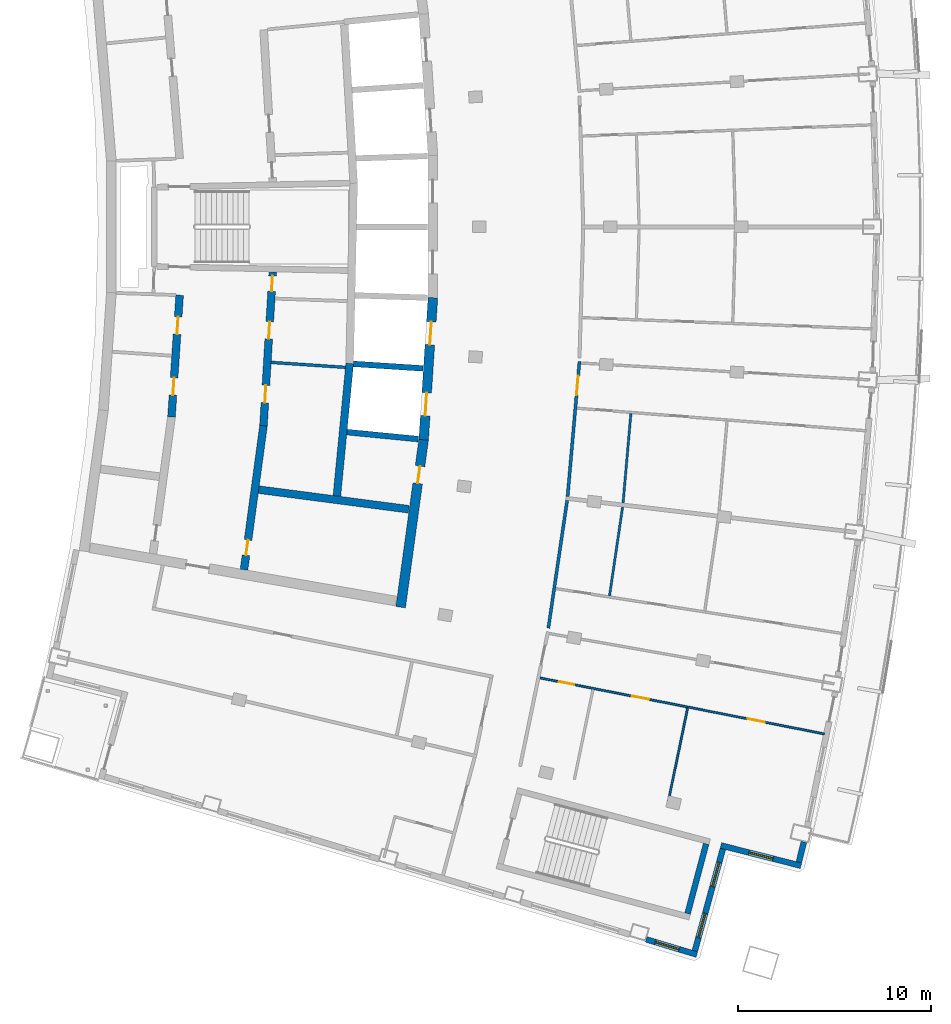
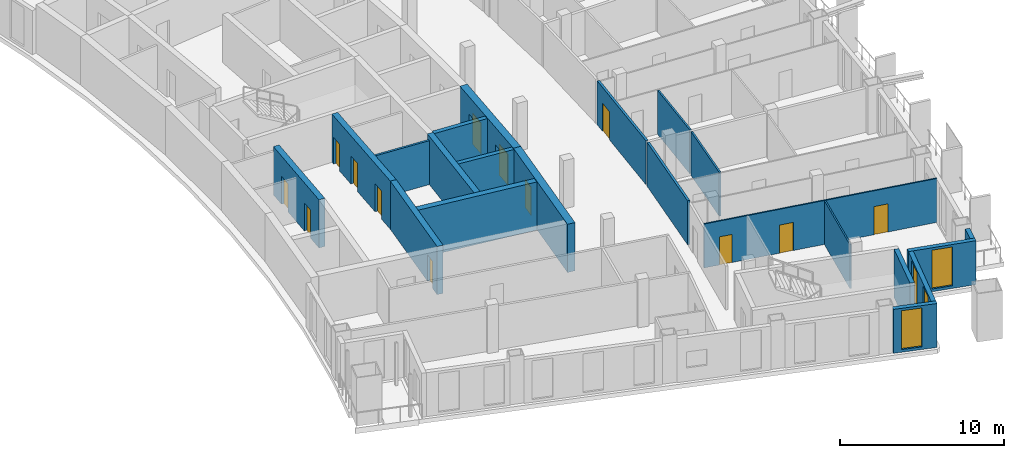
# One storey, part 8 of 17: 21 walls, 13 doors, 4 windows, 17 openings.
"""IFC4 building model written with IfcOpenShell, lengths in metres."""

import ifcopenshell
import ifcopenshell.guid

model = None  # the IFC model being written
_history = None  # IfcOwnerHistory: only IFC2X3 demands one
_inside = {}  # id of a spatial element -> (the spatial element, [elements in it])
_under = {}  # id of a project, library or spatial element -> (it, [spatial elements below it])
_declared = {}  # id of a project -> (the project, [libraries it declares])
_typed = {}  # id of a type object -> (the type object, [elements of that type])
_made_of = {}  # id of a material, layer set ... -> (it, [elements and type objects made of it])


def new_model(schema):
    """Start an empty IFC model of exactly this schema.

    Asked for "IFC4X3", IfcOpenShell would pick the latest addendum, in which some entities
    have other attributes; the version numbers below select the first issue.
    IFC2X3 requires an IfcOwnerHistory on every rooted entity: one is made here for all.
    """
    global model, _history
    if schema == "IFC4X3":
        model = ifcopenshell.file(schema_version=(4, 3, 0, 0))
    else:
        model = ifcopenshell.file(schema=schema)
    _inside.clear()
    _under.clear()
    _declared.clear()
    _typed.clear()
    _made_of.clear()
    _history = None
    if model.schema == "IFC2X3":
        org = make("IfcOrganization", Name="unknown")
        user = make(
            "IfcPersonAndOrganization",
            ThePerson=make("IfcPerson", FamilyName="unknown"),
            TheOrganization=org,
        )
        app = make(
            "IfcApplication",
            ApplicationDeveloper=org,
            Version="unknown",
            ApplicationFullName="unknown",
            ApplicationIdentifier="unknown",
        )
        _history = make(
            "IfcOwnerHistory",
            OwningUser=user,
            OwningApplication=app,
            ChangeAction="ADDED",
            CreationDate=0,
        )
    return model


def make(cls, **values):
    """One entity of the class cls with the attributes given. An attribute that is None is left unset."""
    return model.create_entity(
        cls, **{name: value for name, value in values.items() if value is not None}
    )


def rooted(cls, **values):
    """An entity with a GlobalId (a new one), such as an element, a storey or a relation."""
    return make(cls, GlobalId=ifcopenshell.guid.new(), OwnerHistory=_history, **values)


def si_unit(unit_type, name, prefix=None):
    """IfcSIUnit, for example si_unit("LENGTHUNIT", "METRE", prefix="MILLI")."""
    return make("IfcSIUnit", UnitType=unit_type, Prefix=prefix, Name=name)


def assignment(units):
    """IfcUnitAssignment: the units of a project."""
    return None if units is None else make("IfcUnitAssignment", Units=units)


def point(xyz):
    """IfcCartesianPoint."""
    return None if xyz is None else make("IfcCartesianPoint", Coordinates=xyz)


def direction(xyz):
    """IfcDirection."""
    return None if xyz is None else make("IfcDirection", DirectionRatios=xyz)


def frame(location, z_axis=None, x_axis=None):
    """IfcAxis2Placement3D, a coordinate frame: its origin and axes. An axis left out is left unset."""
    return make(
        "IfcAxis2Placement3D",
        Location=point(location),
        Axis=direction(z_axis),
        RefDirection=direction(x_axis),
    )


def frame_2d(location, x_axis=None):
    """IfcAxis2Placement2D, a coordinate frame in the plane: its origin and x axis."""
    return make(
        "IfcAxis2Placement2D", Location=point(location), RefDirection=direction(x_axis)
    )


def origin():
    """The frame at (0, 0, 0) with its axes left unset."""
    return frame((0.0, 0.0, 0.0))


def place(relative_to, where):
    """IfcLocalPlacement: puts the frame where relative to a parent placement (None: the world)."""
    return make(
        "IfcLocalPlacement", PlacementRelTo=relative_to, RelativePlacement=where
    )


def context(
    kind, dimensions, precision=None, world=None, true_north=None, identifier=None
):
    """IfcGeometricRepresentationContext, for example the 3D "Model" context."""
    return make(
        "IfcGeometricRepresentationContext",
        ContextIdentifier=identifier,
        ContextType=kind,
        CoordinateSpaceDimension=dimensions,
        Precision=precision,
        WorldCoordinateSystem=world,
        TrueNorth=true_north,
    )


def subcontext(parent, identifier, kind, view, scale=None):
    """IfcGeometricRepresentationSubContext, for example "Body" below "Model"."""
    return make(
        "IfcGeometricRepresentationSubContext",
        ContextIdentifier=identifier,
        ContextType=kind,
        ParentContext=parent,
        TargetScale=scale,
        TargetView=view,
    )


def project(units=None, contexts=None):
    """IfcProject with its units and contexts."""
    return rooted(
        "IfcProject",
        Name="project",
        RepresentationContexts=contexts,
        UnitsInContext=assignment(units),
    )


def spatial(cls, under=None, at=None, **own):
    """A site, building, storey or space (cls), placed at a placement, below another one or the project."""
    s = rooted(cls, ObjectPlacement=at, **own)
    if under is not None:
        _under.setdefault(under.id(), (under, []))[1].append(s)
    return s


def profile(cls, at=None, kind="AREA", **sizes):
    """A parametric profile (cls). Its sizes go by their IFC names, for example OverallWidth=200.0."""
    return make(cls, ProfileType=kind, Position=at, **sizes)


def rectangle(**sizes):
    """IfcRectangleProfileDef."""
    return profile("IfcRectangleProfileDef", **sizes)


def extrude(swept, where, along, depth):
    """IfcExtrudedAreaSolid: the profile swept, set in the frame where, extruded along a direction by depth."""
    return make(
        "IfcExtrudedAreaSolid",
        SweptArea=swept,
        Position=where,
        ExtrudedDirection=direction(along),
        Depth=depth,
    )


def shape(context_of_items, identifier, shape_type, items):
    """IfcShapeRepresentation: the items that make up one representation, for example the "Body"."""
    return make(
        "IfcShapeRepresentation",
        ContextOfItems=context_of_items,
        RepresentationIdentifier=identifier,
        RepresentationType=shape_type,
        Items=items,
    )


def material(Name=None, Category=None):
    """IfcMaterial."""
    return make("IfcMaterial", Name=Name, Category=Category)


def layer(
    of_material, thickness, ventilated=None, Name=None, Category=None, Priority=None
):
    """IfcMaterialLayer: one layer of a wall or slab, of a material (None: an air gap)."""
    return make(
        "IfcMaterialLayer",
        Material=of_material,
        LayerThickness=thickness,
        IsVentilated=ventilated,
        Name=Name,
        Category=Category,
        Priority=Priority,
    )


def layer_set(layers, Name=None):
    """IfcMaterialLayerSet."""
    return make("IfcMaterialLayerSet", MaterialLayers=layers, LayerSetName=Name)


def made_of(thing, what):
    """Note that an element or type object is made of a material, layer set ...; save() writes the relation."""
    if what is not None:
        _made_of.setdefault(what.id(), (what, []))[1].append(thing)
    return thing


def type_object(cls, material=None, **own):
    """A type object (cls), such as IfcWallType, which elements share."""
    return made_of(rooted(cls, **own), material)


def element(
    cls,
    number,
    at=None,
    inside=None,
    cuts=None,
    type_object=None,
    material=None,
    context=None,
    identifier="Body",
    shape_type=None,
    held_by="IfcProductDefinitionShape",
    body=None,
    shapes=None,
    **own,
):
    """One element of the class cls, such as IfcWall. Its Tag is "e" and its number.

    at: its placement. inside: the storey or other place that contains it. cuts: it is an
    opening in that element (IfcRelVoidsElement). A single representation is given by context,
    identifier, shape_type and body (its items); several are given by shapes. held_by: the class
    of the entity that holds the representations. save() writes the other relations.
    """
    e = rooted(cls, Tag="e%d" % number, ObjectPlacement=at, **own)
    if body is not None:
        shapes = [shape(context, identifier, shape_type, body)]
    if shapes is not None:
        e.Representation = make(held_by, Representations=shapes)
    if inside is not None:
        _inside.setdefault(inside.id(), (inside, []))[1].append(e)
    if cuts is not None:
        rooted(
            "IfcRelVoidsElement", RelatingBuildingElement=cuts, RelatedOpeningElement=e
        )
    if type_object is not None:
        _typed.setdefault(type_object.id(), (type_object, []))[1].append(e)
    return made_of(e, material)


def fill(opening, filler):
    """IfcRelFillsElement: the door or window that sits in an opening."""
    return rooted(
        "IfcRelFillsElement",
        RelatingOpeningElement=opening,
        RelatedBuildingElement=filler,
    )


def aggregate(whole, parts):
    """IfcRelAggregates: a whole, such as a stair, and the parts it consists of."""
    return rooted("IfcRelAggregates", RelatingObject=whole, RelatedObjects=parts)


def save(model, path):
    """Write the relations noted so far, then the file.

    IfcRelAggregates (storeys below a building ...), IfcRelContainedInSpatialStructure (elements
    in a storey), IfcRelDefinesByType, IfcRelAssociatesMaterial and IfcRelDeclares: one each for
    every whole, place, type object, material and project.
    """
    for whole, parts in _under.values():
        aggregate(whole, parts)
    for where, things in _inside.values():
        rooted(
            "IfcRelContainedInSpatialStructure",
            RelatedElements=things,
            RelatingStructure=where,
        )
    for kind, things in _typed.values():
        rooted("IfcRelDefinesByType", RelatedObjects=things, RelatingType=kind)
    for what, things in _made_of.values():
        rooted("IfcRelAssociatesMaterial", RelatedObjects=things, RelatingMaterial=what)
    for by, libraries in _declared.values():
        rooted("IfcRelDeclares", RelatingContext=by, RelatedDefinitions=libraries)
    model.write(path)


model = new_model("IFC4")

# Units and contexts
model_context = context("Model", 3, precision=1e-05, world=origin(), true_north=direction((0.0, 1.0)))
body_context = subcontext(model_context, "Body", "Model", "MODEL_VIEW")
ifc_project = project(units=[si_unit("LENGTHUNIT", "METRE"), si_unit("AREAUNIT", "SQUARE_METRE"), si_unit("VOLUMEUNIT", "CUBIC_METRE"), si_unit("PLANEANGLEUNIT", "RADIAN"), si_unit("MASSUNIT", "GRAM", prefix="KILO")], contexts=[model_context])

# Site, building, storey
site_placement = place(None, origin())
site = spatial("IfcSite", under=ifc_project, at=site_placement, CompositionType="ELEMENT")
building_placement = place(site_placement, origin())
building = spatial("IfcBuilding", under=site, at=building_placement, Name="Alderwake Tower", CompositionType="ELEMENT")
storey_placement = place(building_placement, frame((0.0, 0.0, 270.800048828125)))
storey = spatial("IfcBuildingStorey", under=building, at=storey_placement, Name="L67", CompositionType="ELEMENT", Elevation=270.800048828125)

# Wall
ifc_material_1 = material(Name="Gypsum shaft wall system, rated")
ifc_layer_1 = layer(ifc_material_1, 0.14990234375)
ifc_layer_set_1 = layer_set([ifc_layer_1], Name="Core room partition 150")
wall_type_1 = type_object("IfcWallType", Name="Core room partition 150", PredefinedType="PARTITIONING", material=ifc_layer_set_1)
wall_1_placement = place(storey_placement, frame((24.990234375, 53.96142578125, 0.0), z_axis=(0.0, 0.0, 1.0), x_axis=(0.997758824467, -0.06691284031, 0.0)))
element("IfcWall", 1, at=wall_1_placement, inside=storey, type_object=wall_type_1, Name="CW/L67/PR-70_+86", PredefinedType="PARTITIONING", context=body_context, shape_type="SweptSolid", body=[
    extrude(rectangle(XDim=3.86767578125, YDim=0.14990234375, at=frame_2d((1.933837890625, 0.0))), origin(), (0.0, 0.0, 1.0), 3.280029296875),
])

# Wall, opening, door
ifc_material_2 = material(Name="Concrete C70/85", Category="concrete")
ifc_layer_2 = layer(ifc_material_2, 0.5)
ifc_layer_set_2 = layer_set([ifc_layer_2], Name="Core wall outer 500 C70-85")
wall_type_2 = type_object("IfcWallType", Name="Core wall outer 500 C70-85", PredefinedType="SHEAR", material=ifc_layer_set_2)
wall_2_placement = place(storey_placement, frame((32.912109375, 49.960693359375, 0.0), z_axis=(0.0, 0.0, 1.0), x_axis=(-0.1358539401, -0.990728876615, 0.0)))
wall_2 = element("IfcWall", 2, at=wall_2_placement, inside=storey, type_object=wall_type_2, Name="Core wall CW.022", PredefinedType="SHEAR", context=body_context, shape_type="SweptSolid", body=[
    extrude(rectangle(XDim=8.794921875, YDim=0.5, at=frame_2d((4.3974609375, 0.0))), origin(), (0.0, 0.0, 1.0), 3.599853515625),
])
opening_1_placement = place(wall_2_placement, frame((1.40283203125, 0.0, 0.0)))
opening_1 = element("IfcOpeningElement", 3, at=opening_1_placement, cuts=wall_2, Name="Opening C050", PredefinedType="OPENING", context=body_context, shape_type="SweptSolid", body=[
    extrude(rectangle(XDim=0.89990234375, YDim=2.10009765625, at=frame_2d((0.449951171875, 1.050048828125))), frame((0.0, 0.260009765625, 0.0), z_axis=(0.0, -1.0, 0.0), x_axis=(1.0, 0.0, 0.0)), (0.0, 0.0, 1.0), 0.52001953125),
])
ifc_material_3 = material(Name="Painted steel leaf", Category="steel")
door_type_1 = type_object("IfcDoorType", Name="Core room door 900", OperationType="SINGLE_SWING_LEFT", PredefinedType="DOOR", material=ifc_material_3)
door_1_placement = place(opening_1_placement, origin())
door_1 = element("IfcDoor", 4, at=door_1_placement, inside=storey, type_object=door_type_1, Name="Room door", OperationType="SINGLE_SWING_RIGHT", OverallHeight=2.10009765625, OverallWidth=0.89990234375, PredefinedType="DOOR", context=body_context, shape_type="SweptSolid", body=[
    extrude(rectangle(XDim=0.89990234375, YDim=2.10009765625, at=frame_2d((0.449951171875, 1.050048828125))), frame((0.0, 0.02490234375, 0.0), z_axis=(0.0, -1.0, 0.0), x_axis=(1.0, 0.0, 0.0)), (0.0, 0.0, 1.0), 0.050048828125),
])
fill(opening_1, door_1)

# Wall, openings, doors
wall_3_placement = place(storey_placement, frame((32.91015625, 49.942138671875, 0.0), z_axis=(0.0, 0.0, 1.0), x_axis=(0.064980500916, 0.997886533881, 0.0)))
wall_3 = element("IfcWall", 5, at=wall_3_placement, inside=storey, type_object=wall_type_2, Name="Core wall CW.021", PredefinedType="SHEAR", context=body_context, shape_type="SweptSolid", body=[
    extrude(rectangle(XDim=7.39404296875, YDim=0.5, at=frame_2d((3.697021484375, 0.0))), origin(), (0.0, 0.0, 1.0), 3.599853515625),
])
opening_2_placement = place(wall_3_placement, frame((1.253173828125, 0.0, 0.0)))
opening_2 = element("IfcOpeningElement", 6, at=opening_2_placement, cuts=wall_3, Name="Opening LD-HP1", PredefinedType="OPENING", context=body_context, shape_type="SweptSolid", body=[
    extrude(rectangle(XDim=1.199951171875, YDim=2.300048828125, at=frame_2d((0.60009765625, 1.14990234375))), frame((0.0, 0.260009765625, 0.0), z_axis=(0.0, -1.0, 0.0), x_axis=(1.0, 0.0, 0.0)), (0.0, 0.0, 1.0), 0.52001953125),
])
opening_3_placement = place(wall_3_placement, frame((4.941650390625, 0.0, 0.0)))
opening_3 = element("IfcOpeningElement", 7, at=opening_3_placement, cuts=wall_3, Name="Opening LD-HP2", PredefinedType="OPENING", context=body_context, shape_type="SweptSolid", body=[
    extrude(rectangle(XDim=1.199951171875, YDim=2.300048828125, at=frame_2d((0.60009765625, 1.14990234375))), frame((0.0, 0.260009765625, 0.0), z_axis=(0.0, -1.0, 0.0), x_axis=(1.0, 0.0, 0.0)), (0.0, 0.0, 1.0), 0.52001953125),
])
ifc_material_4 = material(Name="Stainless steel sliding leaf", Category="steel")
door_type_2 = type_object("IfcDoorType", Name="Lift landing door 1200", OperationType="SLIDING_TO_LEFT", PredefinedType="DOOR", material=ifc_material_4)
door_2_placement = place(opening_2_placement, origin())
door_2 = element("IfcDoor", 8, at=door_2_placement, inside=storey, type_object=door_type_2, Name="Lift landing door HP1", OperationType="SLIDING_TO_LEFT", OverallHeight=2.300048828125, OverallWidth=1.199951171875, PredefinedType="DOOR", context=body_context, shape_type="SweptSolid", body=[
    extrude(rectangle(XDim=1.199951171875, YDim=2.300048828125, at=frame_2d((0.60009765625, 1.14990234375))), frame((0.0, 0.02490234375, 0.0), z_axis=(0.0, -1.0, 0.0), x_axis=(1.0, 0.0, 0.0)), (0.0, 0.0, 1.0), 0.050048828125),
])
fill(opening_2, door_2)
door_3_placement = place(opening_3_placement, origin())
door_3 = element("IfcDoor", 9, at=door_3_placement, inside=storey, type_object=door_type_2, Name="Lift landing door HP2", OperationType="SLIDING_TO_LEFT", OverallHeight=2.300048828125, OverallWidth=1.199951171875, PredefinedType="DOOR", context=body_context, shape_type="SweptSolid", body=[
    extrude(rectangle(XDim=1.199951171875, YDim=2.300048828125, at=frame_2d((0.60009765625, 1.14990234375))), frame((0.0, 0.02490234375, 0.0), z_axis=(0.0, -1.0, 0.0), x_axis=(1.0, 0.0, 0.0)), (0.0, 0.0, 1.0), 0.050048828125),
])
fill(opening_3, door_3)

# Walls
ifc_material_5 = material(Name="Concrete C70/85", Category="concrete")
ifc_layer_3 = layer(ifc_material_5, 0.300048828125)
ifc_layer_set_3 = layer_set([ifc_layer_3], Name="Core wall shaft 300 C70-85")
wall_type_3 = type_object("IfcWallType", Name="Core wall shaft 300 C70-85", PredefinedType="SHEAR", material=ifc_layer_set_3)
wall_4_placement = place(storey_placement, frame((28.92529296875, 50.341552734375, 0.0), z_axis=(0.0, 0.0, 1.0), x_axis=(0.995243989982, -0.097413553492, 0.0)))
element("IfcWall", 10, at=wall_4_placement, inside=storey, type_object=wall_type_3, Name="Core wall CW.064", PredefinedType="SHEAR", context=body_context, shape_type="SweptSolid", body=[
    extrude(rectangle(XDim=3.724365234375, YDim=0.300048828125, at=frame_2d((1.8623046875, 0.0))), origin(), (0.0, 0.0, 1.0), 3.599853515625),
])
wall_5_placement = place(storey_placement, frame((29.268798828125, 53.884521484375, 0.0), z_axis=(0.0, 0.0, 1.0), x_axis=(0.997885735437, -0.064992761217, 0.0)))
element("IfcWall", 11, at=wall_5_placement, inside=storey, type_object=wall_type_3, Name="Core wall CW.078", PredefinedType="SHEAR", context=body_context, shape_type="SweptSolid", body=[
    extrude(rectangle(XDim=3.60986328125, YDim=0.300048828125, at=frame_2d((1.804931640625, 0.0))), origin(), (0.0, 0.0, 1.0), 3.599853515625),
])

# Wall, openings, doors
ifc_material_6 = material(Name="Concrete C70/85", Category="concrete")
ifc_layer_4 = layer(ifc_material_6, 0.39990234375)
ifc_layer_set_4 = layer_set([ifc_layer_4], Name="Core wall spine 400 C70-85")
wall_type_4 = type_object("IfcWallType", Name="Core wall spine 400 C70-85", PredefinedType="SHEAR", material=ifc_layer_set_4)
wall_6_placement = place(storey_placement, frame((20.2373046875, 57.451904296875, 0.0), z_axis=(0.0, 0.0, 1.0), x_axis=(-0.066884681503, -0.997760712486, 0.0)))
wall_6 = element("IfcWall", 12, at=wall_6_placement, inside=storey, type_object=wall_type_4, Name="Core wall CW.032", PredefinedType="SHEAR", context=body_context, shape_type="SweptSolid", body=[
    extrude(rectangle(XDim=6.336669921875, YDim=0.39990234375, at=frame_2d((3.16845703125, 0.0))), origin(), (0.0, 0.0, 1.0), 3.599853515625),
])
opening_4_placement = place(wall_6_placement, frame((4.29736328125, 0.0, 0.0)))
opening_4 = element("IfcOpeningElement", 13, at=opening_4_placement, cuts=wall_6, Name="Opening C038", PredefinedType="OPENING", context=body_context, shape_type="SweptSolid", body=[
    extrude(rectangle(XDim=0.89990234375, YDim=2.10009765625, at=frame_2d((0.449951171875, 1.050048828125))), frame((0.0, 0.2099609375, 0.0), z_axis=(0.0, -1.0, 0.0), x_axis=(1.0, 0.0, 0.0)), (0.0, 0.0, 1.0), 0.419921875),
])
opening_5_placement = place(wall_6_placement, frame((1.132080078125, 0.0, 0.0)))
opening_5 = element("IfcOpeningElement", 14, at=opening_5_placement, cuts=wall_6, Name="Opening C042", PredefinedType="OPENING", context=body_context, shape_type="SweptSolid", body=[
    extrude(rectangle(XDim=0.89990234375, YDim=2.10009765625, at=frame_2d((0.449951171875, 1.050048828125))), frame((0.0, 0.2099609375, 0.0), z_axis=(0.0, -1.0, 0.0), x_axis=(1.0, 0.0, 0.0)), (0.0, 0.0, 1.0), 0.419921875),
])
door_4_placement = place(opening_4_placement, origin())
door_4 = element("IfcDoor", 15, at=door_4_placement, inside=storey, type_object=door_type_1, Name="Room door", OperationType="SINGLE_SWING_RIGHT", OverallHeight=2.10009765625, OverallWidth=0.89990234375, PredefinedType="DOOR", context=body_context, shape_type="SweptSolid", body=[
    extrude(rectangle(XDim=0.89990234375, YDim=2.10009765625, at=frame_2d((0.449951171875, 1.050048828125))), frame((0.0, 0.02490234375, 0.0), z_axis=(0.0, -1.0, 0.0), x_axis=(1.0, 0.0, 0.0)), (0.0, 0.0, 1.0), 0.050048828125),
])
fill(opening_4, door_4)
door_5_placement = place(opening_5_placement, origin())
door_5 = element("IfcDoor", 16, at=door_5_placement, inside=storey, type_object=door_type_1, Name="Room door", OperationType="SINGLE_SWING_LEFT", OverallHeight=2.10009765625, OverallWidth=0.89990234375, PredefinedType="DOOR", context=body_context, shape_type="SweptSolid", body=[
    extrude(rectangle(XDim=0.89990234375, YDim=2.10009765625, at=frame_2d((0.449951171875, 1.050048828125))), frame((0.0, 0.02490234375, 0.0), z_axis=(0.0, -1.0, 0.0), x_axis=(1.0, 0.0, 0.0)), (0.0, 0.0, 1.0), 0.050048828125),
])
fill(opening_5, door_5)

# Wall, opening, door
wall_7_placement = place(storey_placement, frame((23.58056640625, 43.19384765625, 0.0), z_axis=(0.0, 0.0, 1.0), x_axis=(0.133962545762, 0.990986395635, 0.0)))
wall_7 = element("IfcWall", 17, at=wall_7_placement, inside=storey, type_object=wall_type_4, Name="Core wall CW.047", PredefinedType="SHEAR", context=body_context, shape_type="SweptSolid", body=[
    extrude(rectangle(XDim=7.546875, YDim=0.39990234375, at=frame_2d((3.7734375, 0.0))), origin(), (0.0, 0.0, 1.0), 3.599853515625),
])
opening_6_placement = place(wall_7_placement, frame((0.7578125, 0.0, 0.0)))
opening_6 = element("IfcOpeningElement", 18, at=opening_6_placement, cuts=wall_7, Name="Opening C014", PredefinedType="OPENING", context=body_context, shape_type="SweptSolid", body=[
    extrude(rectangle(XDim=0.800048828125, YDim=2.0, at=frame_2d((0.39990234375, 1.0))), frame((0.0, 0.2099609375, 0.0), z_axis=(0.0, -1.0, 0.0), x_axis=(1.0, 0.0, 0.0)), (0.0, 0.0, 1.0), 0.419921875),
])
ifc_material_7 = material(Name="Painted steel leaf, rated", Category="steel")
door_type_3 = type_object("IfcDoorType", Name="Riser access door 800", OperationType="SINGLE_SWING_LEFT", PredefinedType="DOOR", material=ifc_material_7)
door_6_placement = place(opening_6_placement, origin())
door_6 = element("IfcDoor", 19, at=door_6_placement, inside=storey, type_object=door_type_3, Name="Riser access door", OperationType="SINGLE_SWING_RIGHT", OverallHeight=2.0, OverallWidth=0.800048828125, PredefinedType="DOOR", context=body_context, shape_type="SweptSolid", body=[
    extrude(rectangle(XDim=0.800048828125, YDim=2.0, at=frame_2d((0.39990234375, 1.0))), frame((0.0, 0.02490234375, 0.0), z_axis=(0.0, -1.0, 0.0), x_axis=(1.0, 0.0, 0.0)), (0.0, 0.0, 1.0), 0.050048828125),
])
fill(opening_6, door_6)

# Wall, openings, doors
wall_8_placement = place(storey_placement, frame((24.590087890625, 50.65673828125, 0.0), z_axis=(0.0, 0.0, 1.0), x_axis=(0.060318641452, 0.998179173041, 0.0)))
wall_8 = element("IfcWall", 20, at=wall_8_placement, inside=storey, type_object=wall_type_4, Name="Core wall CW.046", PredefinedType="SHEAR", context=body_context, shape_type="SweptSolid", body=[
    extrude(rectangle(XDim=8.022216796875, YDim=0.39990234375, at=frame_2d((4.01123046875, 0.0))), origin(), (0.0, 0.0, 1.0), 3.599853515625),
])
opening_7_placement = place(wall_8_placement, frame((7.006103515625, 0.0, 0.0)))
opening_7 = element("IfcOpeningElement", 21, at=opening_7_placement, cuts=wall_8, Name="Opening C006", PredefinedType="OPENING", context=body_context, shape_type="SweptSolid", body=[
    extrude(rectangle(XDim=0.800048828125, YDim=2.0, at=frame_2d((0.39990234375, 1.0))), frame((0.0, 0.2099609375, 0.0), z_axis=(0.0, -1.0, 0.0), x_axis=(1.0, 0.0, 0.0)), (0.0, 0.0, 1.0), 0.419921875),
])
opening_8_placement = place(wall_8_placement, frame((1.21533203125, 0.0, 0.0)))
opening_8 = element("IfcOpeningElement", 22, at=opening_8_placement, cuts=wall_8, Name="Opening C044", PredefinedType="OPENING", context=body_context, shape_type="SweptSolid", body=[
    extrude(rectangle(XDim=0.89990234375, YDim=2.10009765625, at=frame_2d((0.449951171875, 1.050048828125))), frame((0.0, 0.2099609375, 0.0), z_axis=(0.0, -1.0, 0.0), x_axis=(1.0, 0.0, 0.0)), (0.0, 0.0, 1.0), 0.419921875),
])
opening_9_placement = place(wall_8_placement, frame((4.531982421875, 0.0, 0.0)))
opening_9 = element("IfcOpeningElement", 23, at=opening_9_placement, cuts=wall_8, Name="Opening C048", PredefinedType="OPENING", context=body_context, shape_type="SweptSolid", body=[
    extrude(rectangle(XDim=0.89990234375, YDim=2.10009765625, at=frame_2d((0.449951171875, 1.050048828125))), frame((0.0, 0.2099609375, 0.0), z_axis=(0.0, -1.0, 0.0), x_axis=(1.0, 0.0, 0.0)), (0.0, 0.0, 1.0), 0.419921875),
])
door_7_placement = place(opening_8_placement, origin())
door_7 = element("IfcDoor", 24, at=door_7_placement, inside=storey, type_object=door_type_1, Name="Room door", OperationType="SINGLE_SWING_RIGHT", OverallHeight=2.10009765625, OverallWidth=0.89990234375, PredefinedType="DOOR", context=body_context, shape_type="SweptSolid", body=[
    extrude(rectangle(XDim=0.89990234375, YDim=2.10009765625, at=frame_2d((0.449951171875, 1.050048828125))), frame((0.0, 0.02490234375, 0.0), z_axis=(0.0, -1.0, 0.0), x_axis=(1.0, 0.0, 0.0)), (0.0, 0.0, 1.0), 0.050048828125),
])
fill(opening_8, door_7)
door_8_placement = place(opening_9_placement, origin())
door_8 = element("IfcDoor", 25, at=door_8_placement, inside=storey, type_object=door_type_1, Name="Room door", OperationType="SINGLE_SWING_LEFT", OverallHeight=2.10009765625, OverallWidth=0.89990234375, PredefinedType="DOOR", context=body_context, shape_type="SweptSolid", body=[
    extrude(rectangle(XDim=0.89990234375, YDim=2.10009765625, at=frame_2d((0.449951171875, 1.050048828125))), frame((0.0, 0.02490234375, 0.0), z_axis=(0.0, -1.0, 0.0), x_axis=(1.0, 0.0, 0.0)), (0.0, 0.0, 1.0), 0.050048828125),
])
fill(opening_9, door_8)
door_9_placement = place(opening_7_placement, origin())
door_9 = element("IfcDoor", 26, at=door_9_placement, inside=storey, type_object=door_type_3, Name="Riser access door", OperationType="SINGLE_SWING_RIGHT", OverallHeight=2.0, OverallWidth=0.800048828125, PredefinedType="DOOR", context=body_context, shape_type="SweptSolid", body=[
    extrude(rectangle(XDim=0.800048828125, YDim=2.0, at=frame_2d((0.39990234375, 1.0))), frame((0.0, 0.02490234375, 0.0), z_axis=(0.0, -1.0, 0.0), x_axis=(1.0, 0.0, 0.0)), (0.0, 0.0, 1.0), 0.050048828125),
])
fill(opening_7, door_9)

# Walls
wall_9_placement = place(storey_placement, frame((28.402587890625, 47.0234375, 0.0), z_axis=(0.0, 0.0, 1.0), x_axis=(0.096500230077, 0.995332962177, 0.0)))
element("IfcWall", 27, at=wall_9_placement, inside=storey, type_object=wall_type_4, Name="Core wall CW.005", PredefinedType="SHEAR", context=body_context, shape_type="SweptSolid", body=[
    extrude(rectangle(XDim=6.914306640625, YDim=0.39990234375, at=frame_2d((3.45703125, 0.0))), origin(), (0.0, 0.0, 1.0), 3.599853515625),
])
wall_10_placement = place(storey_placement, frame((24.344482421875, 47.3525390625, 0.0), z_axis=(0.0, 0.0, 1.0), x_axis=(0.991554935657, -0.129687353175, 0.0)))
element("IfcWall", 28, at=wall_10_placement, inside=storey, type_object=wall_type_4, Name="Core wall CW.069", PredefinedType="SHEAR", context=body_context, shape_type="SweptSolid", body=[
    extrude(rectangle(XDim=7.85400390625, YDim=0.39990234375, at=frame_2d((3.927001953125, 0.0))), origin(), (0.0, 0.0, 1.0), 3.599853515625),
])
ifc_material_8 = material(Name="Concrete C70/85", Category="concrete")
ifc_layer_5 = layer(ifc_material_8, 0.300048828125)
ifc_layer_set_5 = layer_set([ifc_layer_5], Name="Core wall stair enclosure 300 C70-85")
wall_type_5 = type_object("IfcWallType", Name="Core wall stair enclosure 300 C70-85", PredefinedType="SHEAR", material=ifc_layer_set_5)
wall_11_placement = place(storey_placement, frame((46.6162109375, 25.334716796875, 0.0), z_axis=(0.0, 0.0, 1.0), x_axis=(0.257366821694, 0.966313778796, 0.0)))
element("IfcWall", 29, at=wall_11_placement, inside=storey, type_object=wall_type_5, Name="Core wall CW.085", PredefinedType="SHEAR", context=body_context, shape_type="SweptSolid", body=[
    extrude(rectangle(XDim=3.749755859375, YDim=0.300048828125, at=frame_2d((1.875, 0.0))), origin(), (0.0, 0.0, 1.0), 3.599853515625),
])
ifc_material_9 = material(Name="Gypsum board on metal studs, rated")
ifc_layer_6 = layer(ifc_material_9, 0.159912109375)
ifc_layer_set_6 = layer_set([ifc_layer_6], Name="Corridor wall 160")
wall_type_6 = type_object("IfcWallType", Name="Corridor wall 160", PredefinedType="PARTITIONING", material=ifc_layer_set_6)
wall_12_placement = place(storey_placement, frame((39.38671875, 40.160888671875, 0.0), z_axis=(0.0, 0.0, 1.0), x_axis=(0.145513909196, 0.989356205939, 0.0)))
element("IfcWall", 30, at=wall_12_placement, inside=storey, type_object=wall_type_6, Name="WL/L67/W19", PredefinedType="PARTITIONING", context=body_context, shape_type="SweptSolid", body=[
    extrude(rectangle(XDim=6.704345703125, YDim=0.159912109375, at=frame_2d((3.35205078125, 0.0))), origin(), (0.0, 0.0, 1.0), 3.280029296875),
])

# Wall, opening, door
wall_13_placement = place(storey_placement, frame((41.001953125, 54.013671875, 0.0), z_axis=(0.0, 0.0, 1.0), x_axis=(-0.087430787456, -0.996170596537, 0.0)))
wall_13 = element("IfcWall", 31, at=wall_13_placement, inside=storey, type_object=wall_type_6, Name="WL/L67/W22", PredefinedType="PARTITIONING", context=body_context, shape_type="SweptSolid", body=[
    extrude(rectangle(XDim=7.048095703125, YDim=0.159912109375, at=frame_2d((3.52392578125, 0.0))), origin(), (0.0, 0.0, 1.0), 3.280029296875),
])
opening_10_placement = place(wall_13_placement, frame((0.75830078125, 0.0, 0.0)))
opening_10 = element("IfcOpeningElement", 32, at=opening_10_placement, cuts=wall_13, Name="Opening R19-U04.2", PredefinedType="OPENING", context=body_context, shape_type="SweptSolid", body=[
    extrude(rectangle(XDim=1.0, YDim=2.10009765625, at=frame_2d((0.5, 1.050048828125))), frame((0.0, 0.08984375, 0.0), z_axis=(0.0, -1.0, 0.0), x_axis=(1.0, 0.0, 0.0)), (0.0, 0.0, 1.0), 0.179931640625),
])
ifc_material_10 = material(Name="Solid timber leaf in steel frame", Category="steel")
door_type_4 = type_object("IfcDoorType", Name="Flat entrance door 1000 fire-rated", OperationType="SINGLE_SWING_LEFT", PredefinedType="DOOR", material=ifc_material_10)
door_10_placement = place(opening_10_placement, origin())
door_10 = element("IfcDoor", 33, at=door_10_placement, inside=storey, type_object=door_type_4, Name="DR/L67/U04.2", OperationType="SINGLE_SWING_LEFT", OverallHeight=2.10009765625, OverallWidth=1.0, PredefinedType="DOOR", context=body_context, shape_type="SweptSolid", body=[
    extrude(rectangle(XDim=1.0, YDim=2.10009765625, at=frame_2d((0.5, 1.050048828125))), frame((0.0, 0.02490234375, 0.0), z_axis=(0.0, -1.0, 0.0), x_axis=(1.0, 0.0, 0.0)), (0.0, 0.0, 1.0), 0.050048828125),
])
fill(opening_10, door_10)

# Wall
ifc_material_11 = material(Name="Precast concrete C50/60 spandrel panel", Category="concrete")
ifc_layer_7 = layer(ifc_material_11, 0.300048828125)
ifc_layer_set_7 = layer_set([ifc_layer_7], Name="External wall EW1 Precast concrete C50/60 spandrel")
wall_type_7 = type_object("IfcWallType", Name="External wall EW1 Precast concrete C50/60 spandrel", PredefinedType="SOLIDWALL", material=ifc_layer_set_7)
wall_14_placement = place(storey_placement, frame((52.397216796875, 28.002685546875, 0.0), z_axis=(0.0, 0.0, 1.0), x_axis=(0.238401816039, 0.971166604713, 0.0)))
element("IfcWall", 34, at=wall_14_placement, inside=storey, type_object=wall_type_7, Name="External wall 11", PredefinedType="SOLIDWALL", context=body_context, shape_type="SweptSolid", body=[
    extrude(rectangle(XDim=1.08447265625, YDim=0.300048828125, at=frame_2d((0.542236328125, 0.0))), origin(), (0.0, 0.0, 1.0), 3.280029296875),
])

# Wall, opening, window
ifc_material_12 = material(Name="Bronze metal cladding on lightweight framing")
ifc_layer_8 = layer(ifc_material_12, 0.300048828125)
ifc_layer_set_8 = layer_set([ifc_layer_8], Name="External wall EW2 bronze metal cladding")
wall_type_8 = type_object("IfcWallType", Name="External wall EW2 bronze metal cladding", PredefinedType="SOLIDWALL", material=ifc_layer_set_8)
wall_15_placement = place(storey_placement, frame((44.466796875, 23.996826171875, 0.0), z_axis=(0.0, 0.0, 1.0), x_axis=(0.957782232982, -0.287494685489, 0.0)))
wall_15 = element("IfcWall", 35, at=wall_15_placement, inside=storey, type_object=wall_type_8, Name="External wall 8", PredefinedType="SOLIDWALL", context=body_context, shape_type="SweptSolid", body=[
    extrude(rectangle(XDim=2.746337890625, YDim=0.300048828125, at=frame_2d((1.373046875, 0.0))), origin(), (0.0, 0.0, 1.0), 3.280029296875),
])
opening_11_placement = place(wall_15_placement, frame((0.497314453125, 0.0, 0.199951171875)))
opening_11 = element("IfcOpeningElement", 36, at=opening_11_placement, cuts=wall_15, Name="Opening W1", PredefinedType="OPENING", context=body_context, shape_type="SweptSolid", body=[
    extrude(rectangle(XDim=1.300048828125, YDim=2.89990234375, at=frame_2d((0.64990234375, 1.449951171875))), frame((0.0, 0.159912109375, 0.0), z_axis=(0.0, -1.0, 0.0), x_axis=(1.0, 0.0, 0.0)), (0.0, 0.0, 1.0), 0.320068359375),
])
ifc_material_13 = material(Name="Bronze tinted glass in aluminium frame", Category="aluminium")
window_type = type_object("IfcWindowType", Name="Window W1 tall fixed and vent", PartitioningType="DOUBLE_PANEL_VERTICAL", PredefinedType="WINDOW", material=ifc_material_13)
window_1_placement = place(opening_11_placement, origin())
window_1 = element("IfcWindow", 37, at=window_1_placement, inside=storey, type_object=window_type, Name="Window W1 tall fixed and vent", OverallHeight=2.89990234375, OverallWidth=1.300048828125, PartitioningType="DOUBLE_PANEL_VERTICAL", PredefinedType="WINDOW", context=body_context, shape_type="SweptSolid", body=[
    extrude(rectangle(XDim=1.300048828125, YDim=2.89990234375, at=frame_2d((0.64990234375, 1.449951171875))), frame((0.0, 0.030029296875, 0.0), z_axis=(0.0, -1.0, 0.0), x_axis=(1.0, 0.0, 0.0)), (0.0, 0.0, 1.0), 0.06005859375),
])
fill(opening_11, window_1)

# Wall, openings, windows
wall_16_placement = place(storey_placement, frame((46.993408203125, 23.39501953125, 0.0), z_axis=(0.0, 0.0, 1.0), x_axis=(0.265064561746, 0.964230666442, 0.0)))
wall_16 = element("IfcWall", 38, at=wall_16_placement, inside=storey, type_object=wall_type_8, Name="External wall 9", PredefinedType="SOLIDWALL", context=body_context, shape_type="SweptSolid", body=[
    extrude(rectangle(XDim=5.494140625, YDim=0.300048828125, at=frame_2d((2.7470703125, 0.0))), origin(), (0.0, 0.0, 1.0), 3.280029296875),
])
opening_12_placement = place(wall_16_placement, frame((0.7236328125, 0.0, 0.199951171875)))
opening_12 = element("IfcOpeningElement", 39, at=opening_12_placement, cuts=wall_16, Name="Opening W1", PredefinedType="OPENING", context=body_context, shape_type="SweptSolid", body=[
    extrude(rectangle(XDim=1.300048828125, YDim=2.89990234375, at=frame_2d((0.64990234375, 1.449951171875))), frame((0.0, 0.159912109375, 0.0), z_axis=(0.0, -1.0, 0.0), x_axis=(1.0, 0.0, 0.0)), (0.0, 0.0, 1.0), 0.320068359375),
])
opening_13_placement = place(wall_16_placement, frame((3.470703125, 0.0, 0.199951171875)))
opening_13 = element("IfcOpeningElement", 40, at=opening_13_placement, cuts=wall_16, Name="Opening W1", PredefinedType="OPENING", context=body_context, shape_type="SweptSolid", body=[
    extrude(rectangle(XDim=1.300048828125, YDim=2.89990234375, at=frame_2d((0.64990234375, 1.449951171875))), frame((0.0, 0.159912109375, 0.0), z_axis=(0.0, -1.0, 0.0), x_axis=(1.0, 0.0, 0.0)), (0.0, 0.0, 1.0), 0.320068359375),
])
window_2_placement = place(opening_12_placement, origin())
window_2 = element("IfcWindow", 41, at=window_2_placement, inside=storey, type_object=window_type, Name="Window W1 tall fixed and vent", OverallHeight=2.89990234375, OverallWidth=1.300048828125, PartitioningType="DOUBLE_PANEL_VERTICAL", PredefinedType="WINDOW", context=body_context, shape_type="SweptSolid", body=[
    extrude(rectangle(XDim=1.300048828125, YDim=2.89990234375, at=frame_2d((0.64990234375, 1.449951171875))), frame((0.0, 0.030029296875, 0.0), z_axis=(0.0, -1.0, 0.0), x_axis=(1.0, 0.0, 0.0)), (0.0, 0.0, 1.0), 0.06005859375),
])
fill(opening_12, window_2)
window_3_placement = place(opening_13_placement, origin())
window_3 = element("IfcWindow", 42, at=window_3_placement, inside=storey, type_object=window_type, Name="Window W1 tall fixed and vent", OverallHeight=2.89990234375, OverallWidth=1.300048828125, PartitioningType="DOUBLE_PANEL_VERTICAL", PredefinedType="WINDOW", context=body_context, shape_type="SweptSolid", body=[
    extrude(rectangle(XDim=1.300048828125, YDim=2.89990234375, at=frame_2d((0.64990234375, 1.449951171875))), frame((0.0, 0.030029296875, 0.0), z_axis=(0.0, -1.0, 0.0), x_axis=(1.0, 0.0, 0.0)), (0.0, 0.0, 1.0), 0.06005859375),
])
fill(opening_13, window_3)

# Wall, opening, window
wall_17_placement = place(storey_placement, frame((48.343994140625, 28.8740234375, 0.0), z_axis=(0.0, 0.0, 1.0), x_axis=(0.969429385377, -0.245370468408, 0.0)))
wall_17 = element("IfcWall", 43, at=wall_17_placement, inside=storey, type_object=wall_type_8, Name="External wall 10", PredefinedType="SOLIDWALL", context=body_context, shape_type="SweptSolid", body=[
    extrude(rectangle(XDim=4.29443359375, YDim=0.300048828125, at=frame_2d((2.147216796875, 0.0))), origin(), (0.0, 0.0, 1.0), 3.280029296875),
])
opening_14_placement = place(wall_17_placement, frame((1.4970703125, 0.0, 0.199951171875)))
opening_14 = element("IfcOpeningElement", 44, at=opening_14_placement, cuts=wall_17, Name="Opening W1", PredefinedType="OPENING", context=body_context, shape_type="SweptSolid", body=[
    extrude(rectangle(XDim=1.300048828125, YDim=2.89990234375, at=frame_2d((0.64990234375, 1.449951171875))), frame((0.0, 0.159912109375, 0.0), z_axis=(0.0, -1.0, 0.0), x_axis=(1.0, 0.0, 0.0)), (0.0, 0.0, 1.0), 0.320068359375),
])
window_4_placement = place(opening_14_placement, origin())
window_4 = element("IfcWindow", 45, at=window_4_placement, inside=storey, type_object=window_type, Name="Window W1 tall fixed and vent", OverallHeight=2.89990234375, OverallWidth=1.300048828125, PartitioningType="DOUBLE_PANEL_VERTICAL", PredefinedType="WINDOW", context=body_context, shape_type="SweptSolid", body=[
    extrude(rectangle(XDim=1.300048828125, YDim=2.89990234375, at=frame_2d((0.64990234375, 1.449951171875))), frame((0.0, 0.030029296875, 0.0), z_axis=(0.0, -1.0, 0.0), x_axis=(1.0, 0.0, 0.0)), (0.0, 0.0, 1.0), 0.06005859375),
])
fill(opening_14, window_4)

# Wall, openings, doors
ifc_material_14 = material(Name="Gypsum board on metal studs")
ifc_layer_9 = layer(ifc_material_14, 0.10009765625)
ifc_layer_set_9 = layer_set([ifc_layer_9], Name="Unit partition 100")
wall_type_9 = type_object("IfcWallType", Name="Unit partition 100", PredefinedType="PARTITIONING", material=ifc_layer_set_9)
wall_18_placement = place(storey_placement, frame((53.72705078125, 34.6650390625, 0.0), z_axis=(0.0, 0.0, 1.0), x_axis=(-0.981164801692, 0.193172544429, 0.0)))
wall_18 = element("IfcWall", 46, at=wall_18_placement, inside=storey, type_object=wall_type_9, Name="WL/L67/W38", PredefinedType="PARTITIONING", context=body_context, shape_type="SweptSolid", body=[
    extrude(rectangle(XDim=15.061279296875, YDim=0.10009765625, at=frame_2d((7.53076171875, 0.0))), origin(), (0.0, 0.0, 1.0), 3.280029296875),
])
opening_15_placement = place(wall_18_placement, frame((9.288330078125, 0.0, 0.0)))
opening_15 = element("IfcOpeningElement", 47, at=opening_15_placement, cuts=wall_18, Name="Opening R19-U03.1", PredefinedType="OPENING", context=body_context, shape_type="SweptSolid", body=[
    extrude(rectangle(XDim=0.89990234375, YDim=2.10009765625, at=frame_2d((0.449951171875, 1.050048828125))), frame((0.0, 0.06005859375, 0.0), z_axis=(0.0, -1.0, 0.0), x_axis=(1.0, 0.0, 0.0)), (0.0, 0.0, 1.0), 0.1201171875),
])
opening_16_placement = place(wall_18_placement, frame((13.251708984375, 0.0, 0.0)))
opening_16 = element("IfcOpeningElement", 48, at=opening_16_placement, cuts=wall_18, Name="Opening R19-U03.3", PredefinedType="OPENING", context=body_context, shape_type="SweptSolid", body=[
    extrude(rectangle(XDim=0.800048828125, YDim=2.10009765625, at=frame_2d((0.39990234375, 1.050048828125))), frame((0.0, 0.06005859375, 0.0), z_axis=(0.0, -1.0, 0.0), x_axis=(1.0, 0.0, 0.0)), (0.0, 0.0, 1.0), 0.1201171875),
])
opening_17_placement = place(wall_18_placement, frame((3.1669921875, 0.0, 0.0)))
opening_17 = element("IfcOpeningElement", 49, at=opening_17_placement, cuts=wall_18, Name="Opening R19-U03.4", PredefinedType="OPENING", context=body_context, shape_type="SweptSolid", body=[
    extrude(rectangle(XDim=0.89990234375, YDim=2.10009765625, at=frame_2d((0.449951171875, 1.050048828125))), frame((0.0, 0.06005859375, 0.0), z_axis=(0.0, -1.0, 0.0), x_axis=(1.0, 0.0, 0.0)), (0.0, 0.0, 1.0), 0.1201171875),
])
ifc_material_15 = material(Name="Painted timber leaf", Category="wood")
door_type_5 = type_object("IfcDoorType", Name="Bathroom door 800", OperationType="SINGLE_SWING_LEFT", PredefinedType="DOOR", material=ifc_material_15)
door_11_placement = place(opening_16_placement, origin())
door_11 = element("IfcDoor", 50, at=door_11_placement, inside=storey, type_object=door_type_5, Name="DR/L67/U03.3", OperationType="SINGLE_SWING_LEFT", OverallHeight=2.10009765625, OverallWidth=0.800048828125, PredefinedType="DOOR", context=body_context, shape_type="SweptSolid", body=[
    extrude(rectangle(XDim=0.800048828125, YDim=2.10009765625, at=frame_2d((0.39990234375, 1.050048828125))), frame((0.0, 0.02490234375, 0.0), z_axis=(0.0, -1.0, 0.0), x_axis=(1.0, 0.0, 0.0)), (0.0, 0.0, 1.0), 0.050048828125),
])
fill(opening_16, door_11)
ifc_material_16 = material(Name="Painted timber leaf", Category="wood")
door_type_6 = type_object("IfcDoorType", Name="Room door 900", OperationType="SINGLE_SWING_LEFT", PredefinedType="DOOR", material=ifc_material_16)
door_12_placement = place(opening_15_placement, origin())
door_12 = element("IfcDoor", 51, at=door_12_placement, inside=storey, type_object=door_type_6, Name="DR/L67/U03.1", OperationType="SINGLE_SWING_LEFT", OverallHeight=2.10009765625, OverallWidth=0.89990234375, PredefinedType="DOOR", context=body_context, shape_type="SweptSolid", body=[
    extrude(rectangle(XDim=0.89990234375, YDim=2.10009765625, at=frame_2d((0.449951171875, 1.050048828125))), frame((0.0, 0.02490234375, 0.0), z_axis=(0.0, -1.0, 0.0), x_axis=(1.0, 0.0, 0.0)), (0.0, 0.0, 1.0), 0.050048828125),
])
fill(opening_15, door_12)
door_13_placement = place(opening_17_placement, origin())
door_13 = element("IfcDoor", 52, at=door_13_placement, inside=storey, type_object=door_type_6, Name="DR/L67/U03.4", OperationType="SINGLE_SWING_LEFT", OverallHeight=2.10009765625, OverallWidth=0.89990234375, PredefinedType="DOOR", context=body_context, shape_type="SweptSolid", body=[
    extrude(rectangle(XDim=0.89990234375, YDim=2.10009765625, at=frame_2d((0.449951171875, 1.050048828125))), frame((0.0, 0.02490234375, 0.0), z_axis=(0.0, -1.0, 0.0), x_axis=(1.0, 0.0, 0.0)), (0.0, 0.0, 1.0), 0.050048828125),
])
fill(opening_17, door_13)

# Walls
wall_19_placement = place(storey_placement, frame((45.612060546875, 31.14599609375, 0.0), z_axis=(0.0, 0.0, 1.0), x_axis=(0.202543889805, 0.979273185941, 0.0)))
element("IfcWall", 53, at=wall_19_placement, inside=storey, type_object=wall_type_9, Name="WL/L67/W46", PredefinedType="PARTITIONING", context=body_context, shape_type="SweptSolid", body=[
    extrude(rectangle(XDim=4.970947265625, YDim=0.10009765625, at=frame_2d((2.4853515625, 0.0))), origin(), (0.0, 0.0, 1.0), 3.280029296875),
])
ifc_material_17 = material(Name="Moisture resistant gypsum board on metal studs")
ifc_layer_10 = layer(ifc_material_17, 0.1201171875)
ifc_layer_set_10 = layer_set([ifc_layer_10], Name="Wet room partition 120")
wall_type_10 = type_object("IfcWallType", Name="Wet room partition 120", PredefinedType="PARTITIONING", material=ifc_layer_set_10)
for number, where, z_axis, x_axis, name in (
    (54, (42.562255859375, 41.83056640625, 0.0), (0.0, 0.0, 1.0), (0.145515042, 0.989356039326, 0.0), "WL/L67/W32"),
    (55, (43.265625, 46.65380859375, 0.0), (0.0, 0.0, 1.0), (0.087069112872, 0.996202273428, 0.0), "WL/L67/W33"),
):
    element("IfcWall", number, at=place(storey_placement, frame(where, z_axis=z_axis, x_axis=x_axis)), inside=storey, type_object=wall_type_10, Name=name, PredefinedType="PARTITIONING", context=body_context, shape_type="SweptSolid", body=[
        extrude(rectangle(XDim=4.67431640625, YDim=0.1201171875, at=frame_2d((2.337158203125, 0.0))), origin(), (0.0, 0.0, 1.0), 3.280029296875),
    ])

save(model, "model.ifc")
